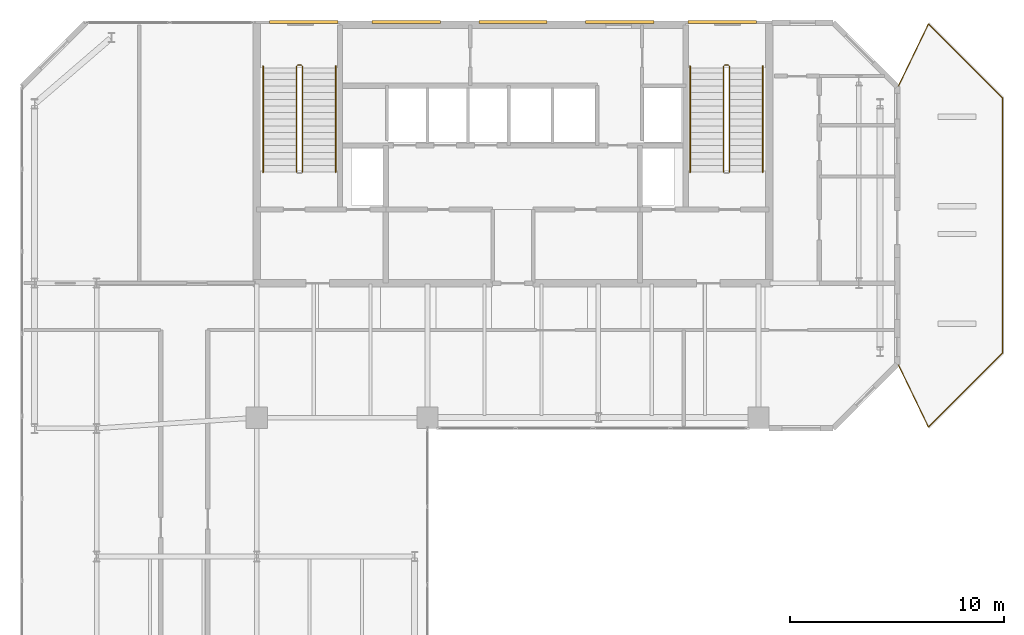
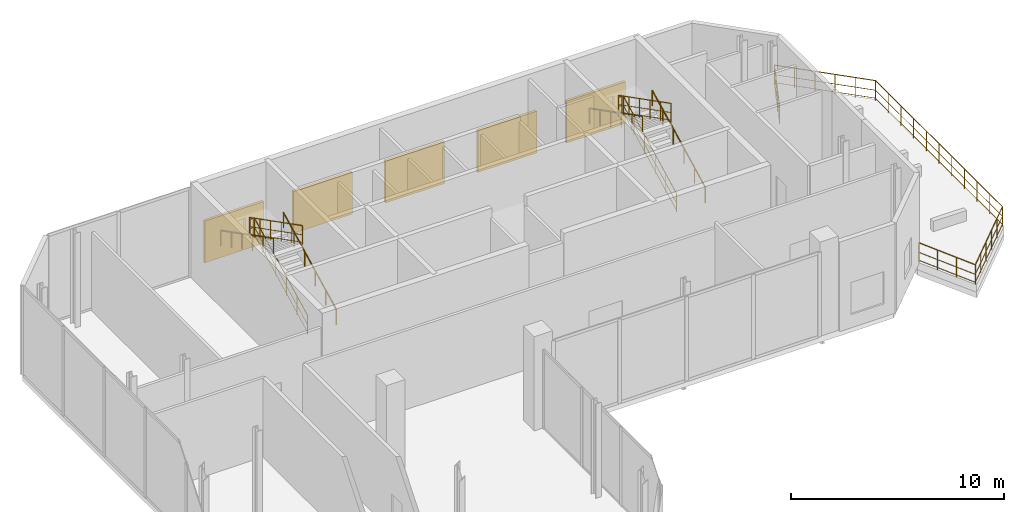
# One storey, part 17 of 17: 11 railings, 5 shading devices.
"""IFC4 building model written with IfcOpenShell, lengths in metres."""

from ifc_helpers import new_model, si_unit, direction, frame, origin, origin_2d, place, context, subcontext, project, spatial, rectangle, circle, extrude, material, type_object, element, save


model = new_model("IFC4")

# Units and contexts
model_context = context("Model", 3, precision=1e-05, world=origin(), true_north=direction((0.0, 1.0)))
body_context = subcontext(model_context, "Body", "Model", "MODEL_VIEW")
ifc_project = project(units=[si_unit("LENGTHUNIT", "METRE"), si_unit("AREAUNIT", "SQUARE_METRE"), si_unit("VOLUMEUNIT", "CUBIC_METRE"), si_unit("PLANEANGLEUNIT", "RADIAN"), si_unit("MASSUNIT", "GRAM", prefix="KILO")], contexts=[model_context])

# Site, building, storey
site_placement = place(None, origin())
site = spatial("IfcSite", under=ifc_project, at=site_placement, CompositionType="ELEMENT")
building_placement = place(site_placement, origin())
building = spatial("IfcBuilding", under=site, at=building_placement, Name="Catumbela Crestline Tower", CompositionType="ELEMENT")
storey_placement = place(building_placement, frame((0.0, 0.0, 213.0)))
storey = spatial("IfcBuildingStorey", under=building, at=storey_placement, Name="L55", CompositionType="ELEMENT", Elevation=213.0)

# Railings
ifc_material_1 = material(Name="Stainless steel EN 1.4401", Category="steel")
railing_type_1 = type_object("IfcRailingType", Name="RG-1100", PredefinedType="GUARDRAIL", material=ifc_material_1)
railing_1_placement = place(storey_placement, frame((18.14, 36.0, 0.1588)))
element("IfcRailing", 1, at=railing_1_placement, inside=storey, type_object=railing_type_1, Name="L55 ST-01 stair guard 1", PredefinedType="GUARDRAIL", context=body_context, shape_type="SweptSolid", body=[
    extrude(circle(Radius=0.024, at=origin_2d()), frame((0.0, 0.0, 1.076), z_axis=(0.0, 0.889991507646, 0.455977100651), x_axis=(-1.0, 0.0, 0.0)), (0.0, 0.0, 1.0), 5.5731),
    extrude(circle(Radius=0.0156, at=origin_2d()), frame((0.0, 0.0, 0.55), z_axis=(0.0, 0.889991507646, 0.455977100651), x_axis=(-1.0, 0.0, 0.0)), (0.0, 0.0, 1.0), 5.5731),
    extrude(circle(Radius=0.0156, at=origin_2d()), frame((0.0, 0.0, 0.12), z_axis=(0.0, 0.889991507646, 0.455977100651), x_axis=(-1.0, 0.0, 0.0)), (0.0, 0.0, 1.0), 5.5731),
    extrude(circle(Radius=0.021, at=origin_2d()), origin(), (0.0, 0.0, 1.0), 1.052),
    extrude(circle(Radius=0.021, at=origin_2d()), frame((0.0, 0.992, 0.5082)), (0.0, 0.0, 1.0), 1.052),
    extrude(circle(Radius=0.021, at=origin_2d()), frame((0.0, 1.984, 1.0165)), (0.0, 0.0, 1.0), 1.052),
    extrude(circle(Radius=0.021, at=origin_2d()), frame((0.0, 2.976, 1.5247)), (0.0, 0.0, 1.0), 1.052),
    extrude(circle(Radius=0.021, at=origin_2d()), frame((0.0, 3.968, 2.033)), (0.0, 0.0, 1.0), 1.052),
    extrude(circle(Radius=0.021, at=origin_2d()), frame((0.0, 4.96, 2.5412)), (0.0, 0.0, 1.0), 1.052),
])
railing_2_placement = place(storey_placement, frame((18.09, 41.01, 2.7)))
element("IfcRailing", 2, at=railing_2_placement, inside=storey, type_object=railing_type_1, Name="L55 ST-01 stair guard 2", PredefinedType="GUARDRAIL", context=body_context, shape_type="SweptSolid", body=[
    extrude(circle(Radius=0.024, at=origin_2d()), frame((0.0, 0.0, 1.076), z_axis=(-1.0, 0.0, 0.0), x_axis=(0.0, -1.0, 0.0)), (0.0, 0.0, 1.0), 0.18),
    extrude(circle(Radius=0.0156, at=origin_2d()), frame((0.0, 0.0, 0.55), z_axis=(-1.0, 0.0, 0.0), x_axis=(0.0, -1.0, 0.0)), (0.0, 0.0, 1.0), 0.18),
    extrude(circle(Radius=0.0156, at=origin_2d()), frame((0.0, 0.0, 0.12), z_axis=(-1.0, 0.0, 0.0), x_axis=(0.0, -1.0, 0.0)), (0.0, 0.0, 1.0), 0.18),
    extrude(circle(Radius=0.021, at=origin_2d()), origin(), (0.0, 0.0, 1.0), 1.052),
    extrude(circle(Radius=0.021, at=origin_2d()), frame((-0.18, 0.0, 0.0)), (0.0, 0.0, 1.0), 1.052),
])
railing_3_placement = place(storey_placement, frame((17.86, 40.96, 2.8588)))
element("IfcRailing", 3, at=railing_3_placement, inside=storey, type_object=railing_type_1, Name="L55 ST-01 stair guard 3", PredefinedType="GUARDRAIL", context=body_context, shape_type="SweptSolid", body=[
    extrude(circle(Radius=0.024, at=origin_2d()), frame((0.0, 0.0, 1.076), z_axis=(0.0, -0.889991507646, 0.455977100651), x_axis=(1.0, 0.0, 0.0)), (0.0, 0.0, 1.0), 5.5731),
    extrude(circle(Radius=0.0156, at=origin_2d()), frame((0.0, 0.0, 0.55), z_axis=(0.0, -0.889991507646, 0.455977100651), x_axis=(1.0, 0.0, 0.0)), (0.0, 0.0, 1.0), 5.5731),
    extrude(circle(Radius=0.0156, at=origin_2d()), frame((0.0, 0.0, 0.12), z_axis=(0.0, -0.889991507646, 0.455977100651), x_axis=(1.0, 0.0, 0.0)), (0.0, 0.0, 1.0), 5.5731),
    extrude(circle(Radius=0.021, at=origin_2d()), origin(), (0.0, 0.0, 1.0), 1.052),
    extrude(circle(Radius=0.021, at=origin_2d()), frame((0.0, -0.992, 0.5082)), (0.0, 0.0, 1.0), 1.052),
    extrude(circle(Radius=0.021, at=origin_2d()), frame((0.0, -1.984, 1.0165)), (0.0, 0.0, 1.0), 1.052),
    extrude(circle(Radius=0.021, at=origin_2d()), frame((0.0, -2.976, 1.5247)), (0.0, 0.0, 1.0), 1.052),
    extrude(circle(Radius=0.021, at=origin_2d()), frame((0.0, -3.968, 2.033)), (0.0, 0.0, 1.0), 1.052),
    extrude(circle(Radius=0.021, at=origin_2d()), frame((0.0, -4.96, 2.5412)), (0.0, 0.0, 1.0), 1.052),
])
railing_4_placement = place(storey_placement, frame((38.14, 36.0, 0.1588)))
element("IfcRailing", 4, at=railing_4_placement, inside=storey, type_object=railing_type_1, Name="L55 ST-02 stair guard 1", PredefinedType="GUARDRAIL", context=body_context, shape_type="SweptSolid", body=[
    extrude(circle(Radius=0.024, at=origin_2d()), frame((0.0, 0.0, 1.076), z_axis=(0.0, 0.889991507646, 0.455977100651), x_axis=(-1.0, 0.0, 0.0)), (0.0, 0.0, 1.0), 5.5731),
    extrude(circle(Radius=0.0156, at=origin_2d()), frame((0.0, 0.0, 0.55), z_axis=(0.0, 0.889991507646, 0.455977100651), x_axis=(-1.0, 0.0, 0.0)), (0.0, 0.0, 1.0), 5.5731),
    extrude(circle(Radius=0.0156, at=origin_2d()), frame((0.0, 0.0, 0.12), z_axis=(0.0, 0.889991507646, 0.455977100651), x_axis=(-1.0, 0.0, 0.0)), (0.0, 0.0, 1.0), 5.5731),
    extrude(circle(Radius=0.021, at=origin_2d()), origin(), (0.0, 0.0, 1.0), 1.052),
    extrude(circle(Radius=0.021, at=origin_2d()), frame((0.0, 0.992, 0.5082)), (0.0, 0.0, 1.0), 1.052),
    extrude(circle(Radius=0.021, at=origin_2d()), frame((0.0, 1.984, 1.0165)), (0.0, 0.0, 1.0), 1.052),
    extrude(circle(Radius=0.021, at=origin_2d()), frame((0.0, 2.976, 1.5247)), (0.0, 0.0, 1.0), 1.052),
    extrude(circle(Radius=0.021, at=origin_2d()), frame((0.0, 3.968, 2.033)), (0.0, 0.0, 1.0), 1.052),
    extrude(circle(Radius=0.021, at=origin_2d()), frame((0.0, 4.96, 2.5412)), (0.0, 0.0, 1.0), 1.052),
])
railing_5_placement = place(storey_placement, frame((38.09, 41.01, 2.7)))
element("IfcRailing", 5, at=railing_5_placement, inside=storey, type_object=railing_type_1, Name="L55 ST-02 stair guard 2", PredefinedType="GUARDRAIL", context=body_context, shape_type="SweptSolid", body=[
    extrude(circle(Radius=0.024, at=origin_2d()), frame((0.0, 0.0, 1.076), z_axis=(-1.0, 0.0, 0.0), x_axis=(0.0, -1.0, 0.0)), (0.0, 0.0, 1.0), 0.18),
    extrude(circle(Radius=0.0156, at=origin_2d()), frame((0.0, 0.0, 0.55), z_axis=(-1.0, 0.0, 0.0), x_axis=(0.0, -1.0, 0.0)), (0.0, 0.0, 1.0), 0.18),
    extrude(circle(Radius=0.0156, at=origin_2d()), frame((0.0, 0.0, 0.12), z_axis=(-1.0, 0.0, 0.0), x_axis=(0.0, -1.0, 0.0)), (0.0, 0.0, 1.0), 0.18),
    extrude(circle(Radius=0.021, at=origin_2d()), origin(), (0.0, 0.0, 1.0), 1.052),
    extrude(circle(Radius=0.021, at=origin_2d()), frame((-0.18, 0.0, 0.0)), (0.0, 0.0, 1.0), 1.052),
])
railing_6_placement = place(storey_placement, frame((37.86, 40.96, 2.8588)))
element("IfcRailing", 6, at=railing_6_placement, inside=storey, type_object=railing_type_1, Name="L55 ST-02 stair guard 3", PredefinedType="GUARDRAIL", context=body_context, shape_type="SweptSolid", body=[
    extrude(circle(Radius=0.024, at=origin_2d()), frame((0.0, 0.0, 1.076), z_axis=(0.0, -0.889991507646, 0.455977100651), x_axis=(1.0, 0.0, 0.0)), (0.0, 0.0, 1.0), 5.5731),
    extrude(circle(Radius=0.0156, at=origin_2d()), frame((0.0, 0.0, 0.55), z_axis=(0.0, -0.889991507646, 0.455977100651), x_axis=(1.0, 0.0, 0.0)), (0.0, 0.0, 1.0), 5.5731),
    extrude(circle(Radius=0.0156, at=origin_2d()), frame((0.0, 0.0, 0.12), z_axis=(0.0, -0.889991507646, 0.455977100651), x_axis=(1.0, 0.0, 0.0)), (0.0, 0.0, 1.0), 5.5731),
    extrude(circle(Radius=0.021, at=origin_2d()), origin(), (0.0, 0.0, 1.0), 1.052),
    extrude(circle(Radius=0.021, at=origin_2d()), frame((0.0, -0.992, 0.5082)), (0.0, 0.0, 1.0), 1.052),
    extrude(circle(Radius=0.021, at=origin_2d()), frame((0.0, -1.984, 1.0165)), (0.0, 0.0, 1.0), 1.052),
    extrude(circle(Radius=0.021, at=origin_2d()), frame((0.0, -2.976, 1.5247)), (0.0, 0.0, 1.0), 1.052),
    extrude(circle(Radius=0.021, at=origin_2d()), frame((0.0, -3.968, 2.033)), (0.0, 0.0, 1.0), 1.052),
    extrude(circle(Radius=0.021, at=origin_2d()), frame((0.0, -4.96, 2.5412)), (0.0, 0.0, 1.0), 1.052),
])
railing_type_2 = type_object("IfcRailingType", Name="RH-0900", PredefinedType="HANDRAIL", material=ifc_material_1)
railing_7_placement = place(storey_placement, frame((19.7, 36.0, 0.1588)))
element("IfcRailing", 7, at=railing_7_placement, inside=storey, type_object=railing_type_2, Name="L55 ST-01 stair handrail 1", PredefinedType="HANDRAIL", context=body_context, shape_type="SweptSolid", body=[
    extrude(circle(Radius=0.024, at=origin_2d()), frame((0.0, 0.0, 0.876), z_axis=(0.0, 0.889991507646, 0.455977100651), x_axis=(-1.0, 0.0, 0.0)), (0.0, 0.0, 1.0), 5.5731),
    extrude(circle(Radius=0.021, at=origin_2d()), origin(), (0.0, 0.0, 1.0), 0.852),
    extrude(circle(Radius=0.021, at=origin_2d()), frame((0.0, 0.992, 0.5082)), (0.0, 0.0, 1.0), 0.852),
    extrude(circle(Radius=0.021, at=origin_2d()), frame((0.0, 1.984, 1.0165)), (0.0, 0.0, 1.0), 0.852),
    extrude(circle(Radius=0.021, at=origin_2d()), frame((0.0, 2.976, 1.5247)), (0.0, 0.0, 1.0), 0.852),
    extrude(circle(Radius=0.021, at=origin_2d()), frame((0.0, 3.968, 2.033)), (0.0, 0.0, 1.0), 0.852),
    extrude(circle(Radius=0.021, at=origin_2d()), frame((0.0, 4.96, 2.5412)), (0.0, 0.0, 1.0), 0.852),
])
railing_8_placement = place(storey_placement, frame((16.3, 40.96, 2.8588)))
element("IfcRailing", 8, at=railing_8_placement, inside=storey, type_object=railing_type_2, Name="L55 ST-01 stair handrail 2", PredefinedType="HANDRAIL", context=body_context, shape_type="SweptSolid", body=[
    extrude(circle(Radius=0.024, at=origin_2d()), frame((0.0, 0.0, 0.876), z_axis=(0.0, -0.889991507646, 0.455977100651), x_axis=(1.0, 0.0, 0.0)), (0.0, 0.0, 1.0), 5.5731),
    extrude(circle(Radius=0.021, at=origin_2d()), origin(), (0.0, 0.0, 1.0), 0.852),
    extrude(circle(Radius=0.021, at=origin_2d()), frame((0.0, -0.992, 0.5082)), (0.0, 0.0, 1.0), 0.852),
    extrude(circle(Radius=0.021, at=origin_2d()), frame((0.0, -1.984, 1.0165)), (0.0, 0.0, 1.0), 0.852),
    extrude(circle(Radius=0.021, at=origin_2d()), frame((0.0, -2.976, 1.5247)), (0.0, 0.0, 1.0), 0.852),
    extrude(circle(Radius=0.021, at=origin_2d()), frame((0.0, -3.968, 2.033)), (0.0, 0.0, 1.0), 0.852),
    extrude(circle(Radius=0.021, at=origin_2d()), frame((0.0, -4.96, 2.5412)), (0.0, 0.0, 1.0), 0.852),
])
railing_9_placement = place(storey_placement, frame((39.7, 36.0, 0.1588)))
element("IfcRailing", 9, at=railing_9_placement, inside=storey, type_object=railing_type_2, Name="L55 ST-02 stair handrail 1", PredefinedType="HANDRAIL", context=body_context, shape_type="SweptSolid", body=[
    extrude(circle(Radius=0.024, at=origin_2d()), frame((0.0, 0.0, 0.876), z_axis=(0.0, 0.889991507646, 0.455977100651), x_axis=(-1.0, 0.0, 0.0)), (0.0, 0.0, 1.0), 5.5731),
    extrude(circle(Radius=0.021, at=origin_2d()), origin(), (0.0, 0.0, 1.0), 0.852),
    extrude(circle(Radius=0.021, at=origin_2d()), frame((0.0, 0.992, 0.5082)), (0.0, 0.0, 1.0), 0.852),
    extrude(circle(Radius=0.021, at=origin_2d()), frame((0.0, 1.984, 1.0165)), (0.0, 0.0, 1.0), 0.852),
    extrude(circle(Radius=0.021, at=origin_2d()), frame((0.0, 2.976, 1.5247)), (0.0, 0.0, 1.0), 0.852),
    extrude(circle(Radius=0.021, at=origin_2d()), frame((0.0, 3.968, 2.033)), (0.0, 0.0, 1.0), 0.852),
    extrude(circle(Radius=0.021, at=origin_2d()), frame((0.0, 4.96, 2.5412)), (0.0, 0.0, 1.0), 0.852),
])
railing_10_placement = place(storey_placement, frame((36.3, 40.96, 2.8588)))
element("IfcRailing", 10, at=railing_10_placement, inside=storey, type_object=railing_type_2, Name="L55 ST-02 stair handrail 2", PredefinedType="HANDRAIL", context=body_context, shape_type="SweptSolid", body=[
    extrude(circle(Radius=0.024, at=origin_2d()), frame((0.0, 0.0, 0.876), z_axis=(0.0, -0.889991507646, 0.455977100651), x_axis=(1.0, 0.0, 0.0)), (0.0, 0.0, 1.0), 5.5731),
    extrude(circle(Radius=0.021, at=origin_2d()), origin(), (0.0, 0.0, 1.0), 0.852),
    extrude(circle(Radius=0.021, at=origin_2d()), frame((0.0, -0.992, 0.5082)), (0.0, 0.0, 1.0), 0.852),
    extrude(circle(Radius=0.021, at=origin_2d()), frame((0.0, -1.984, 1.0165)), (0.0, 0.0, 1.0), 0.852),
    extrude(circle(Radius=0.021, at=origin_2d()), frame((0.0, -2.976, 1.5247)), (0.0, 0.0, 1.0), 0.852),
    extrude(circle(Radius=0.021, at=origin_2d()), frame((0.0, -3.968, 2.033)), (0.0, 0.0, 1.0), 0.852),
    extrude(circle(Radius=0.021, at=origin_2d()), frame((0.0, -4.96, 2.5412)), (0.0, 0.0, 1.0), 0.852),
])
railing_type_3 = type_object("IfcRailingType", Name="RT-1150", PredefinedType="BALUSTRADE", material=ifc_material_1)
railing_11_placement = place(storey_placement, frame((46.06, 26.96, -0.02)))
element("IfcRailing", 11, at=railing_11_placement, inside=storey, type_object=railing_type_3, Name="L55 Sky-Garden Terrace Balustrade TER-L55-E", PredefinedType="BALUSTRADE", context=body_context, shape_type="SweptSolid", body=[
    extrude(circle(Radius=0.024, at=origin_2d()), frame((0.0, 0.0, 1.126), z_axis=(0.434749065831, -0.900551636365, 0.0), x_axis=(0.900551636365, 0.434749065831, 0.0)), (0.0, 0.0, 1.0), 3.2202),
    extrude(circle(Radius=0.0156, at=origin_2d()), frame((0.0, 0.0, 0.575), z_axis=(0.434749065831, -0.900551636365, 0.0), x_axis=(0.900551636365, 0.434749065831, 0.0)), (0.0, 0.0, 1.0), 3.2202),
    extrude(circle(Radius=0.0156, at=origin_2d()), frame((0.0, 0.0, 0.12), z_axis=(0.434749065831, -0.900551636365, 0.0), x_axis=(0.900551636365, 0.434749065831, 0.0)), (0.0, 0.0, 1.0), 3.2202),
    extrude(circle(Radius=0.024, at=origin_2d()), frame((1.4, -2.9, 1.126), z_axis=(0.707106781187, 0.707106781187, 0.0), x_axis=(-0.707106781187, 0.707106781187, 0.0)), (0.0, 0.0, 1.0), 4.9215),
    extrude(circle(Radius=0.0156, at=origin_2d()), frame((1.4, -2.9, 0.575), z_axis=(0.707106781187, 0.707106781187, 0.0), x_axis=(-0.707106781187, 0.707106781187, 0.0)), (0.0, 0.0, 1.0), 4.9215),
    extrude(circle(Radius=0.0156, at=origin_2d()), frame((1.4, -2.9, 0.12), z_axis=(0.707106781187, 0.707106781187, 0.0), x_axis=(-0.707106781187, 0.707106781187, 0.0)), (0.0, 0.0, 1.0), 4.9215),
    extrude(circle(Radius=0.024, at=origin_2d()), frame((4.88, 0.58, 1.126), z_axis=(0.0, 1.0, 0.0), x_axis=(-1.0, 0.0, 0.0)), (0.0, 0.0, 1.0), 11.92),
    extrude(circle(Radius=0.0156, at=origin_2d()), frame((4.88, 0.58, 0.575), z_axis=(0.0, 1.0, 0.0), x_axis=(-1.0, 0.0, 0.0)), (0.0, 0.0, 1.0), 11.92),
    extrude(circle(Radius=0.0156, at=origin_2d()), frame((4.88, 0.58, 0.12), z_axis=(0.0, 1.0, 0.0), x_axis=(-1.0, 0.0, 0.0)), (0.0, 0.0, 1.0), 11.92),
    extrude(circle(Radius=0.024, at=origin_2d()), frame((4.88, 12.5, 1.126), z_axis=(-0.707106781187, 0.707106781187, 0.0), x_axis=(-0.707106781187, -0.707106781187, 0.0)), (0.0, 0.0, 1.0), 4.9215),
    extrude(circle(Radius=0.0156, at=origin_2d()), frame((4.88, 12.5, 0.575), z_axis=(-0.707106781187, 0.707106781187, 0.0), x_axis=(-0.707106781187, -0.707106781187, 0.0)), (0.0, 0.0, 1.0), 4.9215),
    extrude(circle(Radius=0.0156, at=origin_2d()), frame((4.88, 12.5, 0.12), z_axis=(-0.707106781187, 0.707106781187, 0.0), x_axis=(-0.707106781187, -0.707106781187, 0.0)), (0.0, 0.0, 1.0), 4.9215),
    extrude(circle(Radius=0.024, at=origin_2d()), frame((1.4, 15.98, 1.126), z_axis=(-0.434749065831, -0.900551636365, 0.0), x_axis=(0.900551636365, -0.434749065831, 0.0)), (0.0, 0.0, 1.0), 3.2202),
    extrude(circle(Radius=0.0156, at=origin_2d()), frame((1.4, 15.98, 0.575), z_axis=(-0.434749065831, -0.900551636365, 0.0), x_axis=(0.900551636365, -0.434749065831, 0.0)), (0.0, 0.0, 1.0), 3.2202),
    extrude(circle(Radius=0.0156, at=origin_2d()), frame((1.4, 15.98, 0.12), z_axis=(-0.434749065831, -0.900551636365, 0.0), x_axis=(0.900551636365, -0.434749065831, 0.0)), (0.0, 0.0, 1.0), 3.2202),
    extrude(circle(Radius=0.021, at=origin_2d()), origin(), (0.0, 0.0, 1.0), 1.102),
    extrude(circle(Radius=0.021, at=origin_2d()), frame((0.4667, -0.9667, 0.0)), (0.0, 0.0, 1.0), 1.102),
    extrude(circle(Radius=0.021, at=origin_2d()), frame((0.9333, -1.9333, 0.0)), (0.0, 0.0, 1.0), 1.102),
    extrude(circle(Radius=0.021, at=origin_2d()), frame((1.4, -2.9, 0.0)), (0.0, 0.0, 1.0), 1.102),
    extrude(circle(Radius=0.021, at=origin_2d()), frame((2.096, -2.204, 0.0)), (0.0, 0.0, 1.0), 1.102),
    extrude(circle(Radius=0.021, at=origin_2d()), frame((2.792, -1.508, 0.0)), (0.0, 0.0, 1.0), 1.102),
    extrude(circle(Radius=0.021, at=origin_2d()), frame((3.488, -0.812, 0.0)), (0.0, 0.0, 1.0), 1.102),
    extrude(circle(Radius=0.021, at=origin_2d()), frame((4.184, -0.116, 0.0)), (0.0, 0.0, 1.0), 1.102),
    extrude(circle(Radius=0.021, at=origin_2d()), frame((4.88, 0.58, 0.0)), (0.0, 0.0, 1.0), 1.102),
    extrude(circle(Radius=0.021, at=origin_2d()), frame((4.88, 1.772, 0.0)), (0.0, 0.0, 1.0), 1.102),
    extrude(circle(Radius=0.021, at=origin_2d()), frame((4.88, 2.964, 0.0)), (0.0, 0.0, 1.0), 1.102),
    extrude(circle(Radius=0.021, at=origin_2d()), frame((4.88, 4.156, 0.0)), (0.0, 0.0, 1.0), 1.102),
    extrude(circle(Radius=0.021, at=origin_2d()), frame((4.88, 5.348, 0.0)), (0.0, 0.0, 1.0), 1.102),
    extrude(circle(Radius=0.021, at=origin_2d()), frame((4.88, 6.54, 0.0)), (0.0, 0.0, 1.0), 1.102),
    extrude(circle(Radius=0.021, at=origin_2d()), frame((4.88, 7.732, 0.0)), (0.0, 0.0, 1.0), 1.102),
    extrude(circle(Radius=0.021, at=origin_2d()), frame((4.88, 8.924, 0.0)), (0.0, 0.0, 1.0), 1.102),
    extrude(circle(Radius=0.021, at=origin_2d()), frame((4.88, 10.116, 0.0)), (0.0, 0.0, 1.0), 1.102),
    extrude(circle(Radius=0.021, at=origin_2d()), frame((4.88, 11.308, 0.0)), (0.0, 0.0, 1.0), 1.102),
    extrude(circle(Radius=0.021, at=origin_2d()), frame((4.88, 12.5, 0.0)), (0.0, 0.0, 1.0), 1.102),
    extrude(circle(Radius=0.021, at=origin_2d()), frame((4.184, 13.196, 0.0)), (0.0, 0.0, 1.0), 1.102),
    extrude(circle(Radius=0.021, at=origin_2d()), frame((3.488, 13.892, 0.0)), (0.0, 0.0, 1.0), 1.102),
    extrude(circle(Radius=0.021, at=origin_2d()), frame((2.792, 14.588, 0.0)), (0.0, 0.0, 1.0), 1.102),
    extrude(circle(Radius=0.021, at=origin_2d()), frame((2.096, 15.284, 0.0)), (0.0, 0.0, 1.0), 1.102),
    extrude(circle(Radius=0.021, at=origin_2d()), frame((1.4, 15.98, 0.0)), (0.0, 0.0, 1.0), 1.102),
    extrude(circle(Radius=0.021, at=origin_2d()), frame((0.9333, 15.0133, 0.0)), (0.0, 0.0, 1.0), 1.102),
    extrude(circle(Radius=0.021, at=origin_2d()), frame((0.4667, 14.0467, 0.0)), (0.0, 0.0, 1.0), 1.102),
    extrude(circle(Radius=0.021, at=origin_2d()), frame((0.0, 13.08, 0.0)), (0.0, 0.0, 1.0), 1.102),
])

# Shading devices
ifc_material_2 = material(Name="Extruded terracotta ceramic", Category="masonry")
shading_device_type_1 = type_object("IfcShadingDeviceType", Name="ST-180", PredefinedType="USERDEFINED", material=ifc_material_2)
for number, where, z_axis, x_axis, name in (
    (12, (28.0, 43.04, 0.55), (0.0, 0.0, 1.0), (1.0, 0.0, 0.0), "L55 Rear Core Terracotta Brise-Soleil Screen 653"),
    (13, (37.8, 43.04, 0.55), (0.0, 0.0, 1.0), (1.0, 0.0, 0.0), "L55 Rear Core Terracotta Brise-Soleil Screen 655"),
):
    element("IfcShadingDevice", number, at=place(storey_placement, frame(where, z_axis=z_axis, x_axis=x_axis)), inside=storey, type_object=shading_device_type_1, Name=name, ObjectType="SCREEN", PredefinedType="USERDEFINED", context=body_context, shape_type="SweptSolid", body=[
        extrude(rectangle(XDim=3.2, YDim=0.14, at=origin_2d()), origin(), (0.0, 0.0, 1.0), 2.4),
    ])
shading_device_type_2 = type_object("IfcShadingDeviceType", Name="ST-260", PredefinedType="USERDEFINED", material=ifc_material_2)
shading_device_placement = place(storey_placement, frame((23.0, 43.04, 0.55), z_axis=(0.0, 0.0, 1.0), x_axis=(1.0, 0.0, 0.0)))
element("IfcShadingDevice", 14, at=shading_device_placement, inside=storey, type_object=shading_device_type_2, Name="L55 Rear Core Terracotta Brise-Soleil Screen 652", ObjectType="SCREEN", PredefinedType="USERDEFINED", context=body_context, shape_type="SweptSolid", body=[
    extrude(rectangle(XDim=3.2, YDim=0.14, at=origin_2d()), origin(), (0.0, 0.0, 1.0), 2.4),
])
shading_device_type_3 = type_object("IfcShadingDeviceType", Name="ST-340", PredefinedType="USERDEFINED", material=ifc_material_2)
for number, where, z_axis, x_axis, name in (
    (15, (18.2, 43.04, 0.55), (0.0, 0.0, 1.0), (1.0, 0.0, 0.0), "L55 Rear Core Terracotta Brise-Soleil Screen 651"),
    (16, (33.0, 43.04, 0.55), (0.0, 0.0, 1.0), (1.0, 0.0, 0.0), "L55 Rear Core Terracotta Brise-Soleil Screen 654"),
):
    element("IfcShadingDevice", number, at=place(storey_placement, frame(where, z_axis=z_axis, x_axis=x_axis)), inside=storey, type_object=shading_device_type_3, Name=name, ObjectType="SCREEN", PredefinedType="USERDEFINED", context=body_context, shape_type="SweptSolid", body=[
        extrude(rectangle(XDim=3.2, YDim=0.14, at=origin_2d()), origin(), (0.0, 0.0, 1.0), 2.4),
    ])

save(model, "model.ifc")
